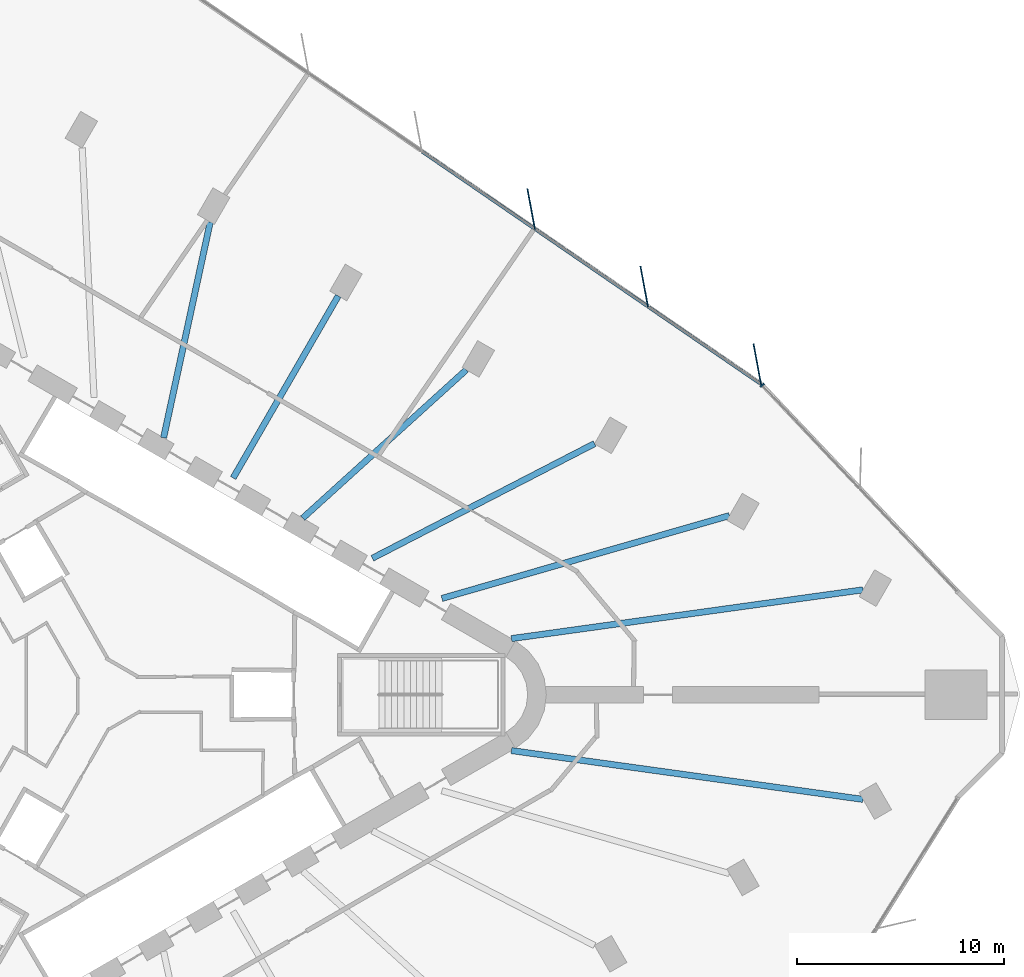
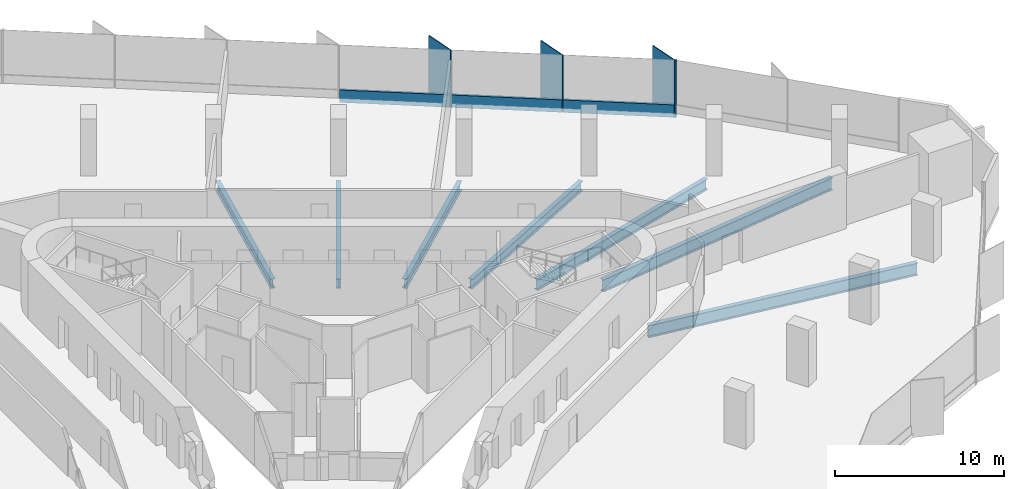
# One storey, part 5 of 15: 7 beams, 7 members, 2 elements without a shape of their own.
"""IFC4 building model written with IfcOpenShell, lengths in metres."""

from ifc_helpers import new_model, si_unit, direction, frame, origin, origin_2d, place, context, subcontext, project, spatial, rectangle, i_section, extrude, material, material_profile, profile_set, type_object, element, aggregate, save


model = new_model("IFC4")

# Units and contexts
model_context = context("Model", 3, precision=1e-05, world=origin(), true_north=direction((0.0, 1.0)))
body_context = subcontext(model_context, "Body", "Model", "MODEL_VIEW")
ifc_project = project(units=[si_unit("LENGTHUNIT", "METRE"), si_unit("AREAUNIT", "SQUARE_METRE"), si_unit("VOLUMEUNIT", "CUBIC_METRE"), si_unit("PLANEANGLEUNIT", "RADIAN"), si_unit("MASSUNIT", "GRAM", prefix="KILO")], contexts=[model_context])

# Site, building, storey
site_placement = place(None, origin())
site = spatial("IfcSite", under=ifc_project, at=site_placement, CompositionType="ELEMENT")
building_placement = place(site_placement, origin())
building = spatial("IfcBuilding", under=site, at=building_placement, Name="Tanit Gate Tower", CompositionType="ELEMENT")
storey_placement = place(building_placement, frame((0.0, 0.0, 98.800048828125)))
storey = spatial("IfcBuildingStorey", under=building, at=storey_placement, Name="L20", CompositionType="ELEMENT", Elevation=98.800048828125)

# Curtain wall, members
ifc_material_1 = material(Name="Aluminium bronze anodised and glass", Category="aluminium")
curtain_wall_type = type_object("IfcCurtainWallType", Name="Curtain wall typical low", PredefinedType="NOTDEFINED", material=ifc_material_1)
curtain_wall_1_placement = place(storey_placement, origin())
curtain_wall_1 = element("IfcCurtainWall", 1, at=curtain_wall_1_placement, inside=storey, type_object=curtain_wall_type, Name="Curtain wall L20 NE2", PredefinedType="NOTDEFINED")
ifc_material_2 = material(Name="Aluminium bronze anodised", Category="aluminium")
ifc_material_profile_1 = material_profile(ifc_material_2, rectangle(XDim=2.0, YDim=0.055908203125, at=origin_2d()), Name="56x2000 bronze fin mullion")
ifc_profile_set_1 = profile_set([ifc_material_profile_1], Name="Aluminium bronze anodised")
member_type_1 = type_object("IfcMemberType", Name="FIN MULLION 56x2000 bronze", PredefinedType="MULLION", material=ifc_profile_set_1)
member_1_placement = place(storey_placement, frame((31.404296875, 15.97998046875, -0.300048828125), z_axis=(0.0, 0.0, 1.0), x_axis=(0.182847499991, -0.983141287785, 0.0)))
member_1 = element("IfcMember", 2, at=member_1_placement, type_object=member_type_1, Name="Fin mullion L20 NE2.1", PredefinedType="MULLION", context=body_context, shape_type="SweptSolid", body=[
    extrude(rectangle(XDim=2.0, YDim=0.055908203125, at=origin_2d()), origin(), (0.0, 0.0, 1.0), 4.10009765625),
])
member_2_placement = place(storey_placement, frame((25.93505859375, 19.73388671875, -0.300048828125), z_axis=(0.0, 0.0, 1.0), x_axis=(0.182847499991, -0.983141287785, 0.0)))
member_2 = element("IfcMember", 3, at=member_2_placement, type_object=member_type_1, Name="Fin mullion L20 NE2.2", PredefinedType="MULLION", context=body_context, shape_type="SweptSolid", body=[
    extrude(rectangle(XDim=2.0, YDim=0.055908203125, at=origin_2d()), origin(), (0.0, 0.0, 1.0), 4.10009765625),
])
member_3_placement = place(storey_placement, frame((20.4658203125, 23.48779296875, -0.300048828125), z_axis=(0.0, 0.0, 1.0), x_axis=(0.182847499991, -0.983141287785, 0.0)))
member_3 = element("IfcMember", 4, at=member_3_placement, type_object=member_type_1, Name="Fin mullion L20 NE2.3", PredefinedType="MULLION", context=body_context, shape_type="SweptSolid", body=[
    extrude(rectangle(XDim=2.0, YDim=0.055908203125, at=origin_2d()), origin(), (0.0, 0.0, 1.0), 4.10009765625),
])

# Curtain wall, member
curtain_wall_2_placement = place(storey_placement, origin())
curtain_wall_2 = element("IfcCurtainWall", 5, at=curtain_wall_2_placement, inside=storey, type_object=curtain_wall_type, Name="Curtain wall L20 NE1", PredefinedType="NOTDEFINED")
ifc_material_3 = material(Name="Aluminium bronze anodised", Category="aluminium")
ifc_material_profile_2 = material_profile(ifc_material_3, rectangle(XDim=0.239990234375, YDim=0.080078125, at=origin_2d()), Name="80x240 bronze mullion")
ifc_profile_set_2 = profile_set([ifc_material_profile_2], Name="Aluminium bronze anodised")
member_type_2 = type_object("IfcMemberType", Name="Mullion 80x240 typical low", PredefinedType="MULLION", material=ifc_profile_set_2)
member_4_placement = place(storey_placement, frame((31.6435546875, 14.96728515625, -0.300048828125), z_axis=(0.0, 0.0, 1.0), x_axis=(-0.726107422855, -0.687581275541, 0.0)))
member_4 = element("IfcMember", 6, at=member_4_placement, type_object=member_type_2, Name="Mullion L20 NE1.3", PredefinedType="MULLION", context=body_context, shape_type="SweptSolid", body=[
    extrude(rectangle(XDim=0.239990234375, YDim=0.080078125, at=origin_2d()), origin(), (0.0, 0.0, 1.0), 4.10009765625),
])
aggregate(curtain_wall_2, [member_4])

# Beams
ifc_material_4 = material(Name="Steel S355", Category="steel")
ifc_material_profile_3 = material_profile(ifc_material_4, i_section(OverallWidth=0.300048828125, OverallDepth=0.68994140625, WebThickness=0.014404296875, FlangeThickness=0.027099609375, FilletRadius=0.027099609375, at=origin_2d()), Name="HEA 700")
ifc_profile_set_3 = profile_set([ifc_material_profile_3], Name="Steel S355")
beam_type_1 = type_object("IfcBeamType", Name="RADIAL GIRDER HEA 700 S355", PredefinedType="BEAM", material=ifc_profile_set_3)
beam_1_placement = place(storey_placement, frame((23.530029296875, 12.1396484375, -0.64501953125), z_axis=(-0.888695221305, -0.458498422713, 0.0), x_axis=(0.458498422713, -0.888695221305, 0.0)))
element("IfcBeam", 7, at=beam_1_placement, inside=storey, type_object=beam_type_1, Name="RADIAL GIRDER", PredefinedType="BEAM", context=body_context, shape_type="SweptSolid", body=[
    extrude(i_section(OverallWidth=0.300048828125, OverallDepth=0.68994140625, WebThickness=0.014404296875, FlangeThickness=0.027099609375, FilletRadius=0.027099609375, at=origin_2d()), origin(), (0.0, 0.0, 1.0), 12.09423828125),
])
beam_2_placement = place(storey_placement, frame((17.326416015625, 15.709228515625, -0.64501953125), z_axis=(-0.740834398556, -0.671687720534, 0.0), x_axis=(0.671687720534, -0.740834398556, 0.0)))
element("IfcBeam", 8, at=beam_2_placement, inside=storey, type_object=beam_type_1, Name="RADIAL GIRDER", PredefinedType="BEAM", context=body_context, shape_type="SweptSolid", body=[
    extrude(i_section(OverallWidth=0.300048828125, OverallDepth=0.68994140625, WebThickness=0.014404296875, FlangeThickness=0.027099609375, FilletRadius=0.027099609375, at=origin_2d()), origin(), (0.0, 0.0, 1.0), 10.677001953125),
])
beam_3_placement = place(storey_placement, frame((11.134033203125, 19.28466796875, -0.64501953125), z_axis=(-0.500003096968, -0.866023615742, 0.0), x_axis=(0.866023615742, -0.500003096968, 0.0)))
element("IfcBeam", 9, at=beam_3_placement, inside=storey, type_object=beam_type_1, Name="RADIAL GIRDER", PredefinedType="BEAM", context=body_context, shape_type="SweptSolid", body=[
    extrude(i_section(OverallWidth=0.300048828125, OverallDepth=0.68994140625, WebThickness=0.014404296875, FlangeThickness=0.027099609375, FilletRadius=0.027099609375, at=origin_2d()), origin(), (0.0, 0.0, 1.0), 10.166015625),
])
beam_4_placement = place(storey_placement, frame((4.94140625, 22.85986328125, -0.64501953125), z_axis=(-0.211276115388, -0.977426418236, 0.0), x_axis=(0.977426418236, -0.211276115388, 0.0)))
element("IfcBeam", 10, at=beam_4_placement, inside=storey, type_object=beam_type_1, Name="RADIAL GIRDER", PredefinedType="BEAM", context=body_context, shape_type="SweptSolid", body=[
    extrude(i_section(OverallWidth=0.300048828125, OverallDepth=0.68994140625, WebThickness=0.014404296875, FlangeThickness=0.027099609375, FilletRadius=0.027099609375, at=origin_2d()), origin(), (0.0, 0.0, 1.0), 10.67724609375),
])
ifc_material_5 = material(Name="Steel S355", Category="steel")
ifc_material_profile_4 = material_profile(ifc_material_5, i_section(OverallWidth=0.300048828125, OverallDepth=0.7900390625, WebThickness=0.014892578125, FlangeThickness=0.028076171875, FilletRadius=0.030029296875, at=origin_2d()), Name="HEA 800")
ifc_profile_set_4 = profile_set([ifc_material_profile_4], Name="Steel S355")
beam_type_2 = type_object("IfcBeamType", Name="RADIAL GIRDER HEA 800 S355", PredefinedType="BEAM", material=ifc_profile_set_4)
beam_5_placement = place(storey_placement, frame((30.0546875, 8.657470703125, -0.695068359375), z_axis=(-0.960925208755, -0.276808134236, 0.0), x_axis=(0.276808134236, -0.960925208755, 0.0)))
element("IfcBeam", 11, at=beam_5_placement, inside=storey, type_object=beam_type_2, Name="RADIAL GIRDER", PredefinedType="BEAM", context=body_context, shape_type="SweptSolid", body=[
    extrude(i_section(OverallWidth=0.300048828125, OverallDepth=0.7900390625, WebThickness=0.014892578125, FlangeThickness=0.028076171875, FilletRadius=0.030029296875, at=origin_2d()), origin(), (0.0, 0.0, 1.0), 14.472412109375),
])
ifc_material_6 = material(Name="Steel S355", Category="steel")
ifc_material_profile_5 = material_profile(ifc_material_6, i_section(OverallWidth=0.300048828125, OverallDepth=0.889892578125, WebThickness=0.01611328125, FlangeThickness=0.030029296875, FilletRadius=0.030029296875, at=origin_2d()), Name="HEA 900")
ifc_profile_set_5 = profile_set([ifc_material_profile_5], Name="Steel S355")
beam_type_3 = type_object("IfcBeamType", Name="RADIAL GIRDER HEA 900 S355", PredefinedType="BEAM", material=ifc_profile_set_5)
for number, where, z_axis, x_axis, name in (
    (12, (36.517333984375, -5.068359375, -0.7451171875), (-0.990504811004, 0.137478068716, 0.0), (-0.137478068716, -0.990504811004, 0.0), "RADIAL GIRDER"),
    (13, (36.517333984375, 5.068359375, -0.7451171875), (-0.990504811004, -0.137478068716, 0.0), (0.137478068716, -0.990504811004, 0.0), "RADIAL GIRDER"),
):
    element("IfcBeam", number, at=place(storey_placement, frame(where, z_axis=z_axis, x_axis=x_axis)), inside=storey, type_object=beam_type_3, Name=name, PredefinedType="BEAM", context=body_context, shape_type="SweptSolid", body=[
        extrude(i_section(OverallWidth=0.300048828125, OverallDepth=0.889892578125, WebThickness=0.01611328125, FlangeThickness=0.030029296875, FilletRadius=0.030029296875, at=origin_2d()), origin(), (0.0, 0.0, 1.0), 17.167236328125),
    ])

# Member
ifc_material_7 = material(Name="Aluminium bronze anodised", Category="aluminium")
ifc_material_profile_6 = material_profile(ifc_material_7, rectangle(XDim=0.159912109375, YDim=0.89990234375, at=origin_2d()), Name="160x900 bronze transom")
ifc_profile_set_6 = profile_set([ifc_material_profile_6], Name="Aluminium bronze anodised")
member_type_3 = type_object("IfcMemberType", Name="Transom 160x900 typical low", PredefinedType="USERDEFINED", material=ifc_profile_set_6)
member_5_placement = place(storey_placement, frame((31.550048828125, 15.04150390625, 0.14990234375), z_axis=(-0.824472115667, 0.565902580386, 0.0), x_axis=(-0.565902580386, -0.824472115667, 0.0)))
member_5 = element("IfcMember", 14, at=member_5_placement, type_object=member_type_3, Name="Transom L20 NE2.1", ObjectType="TRANSOM", PredefinedType="USERDEFINED", context=body_context, shape_type="SweptSolid", body=[
    extrude(rectangle(XDim=0.159912109375, YDim=0.89990234375, at=origin_2d()), origin(), (0.0, 0.0, 1.0), 6.5537109375),
])

member_6_placement = place(storey_placement, frame((26.080810546875, 18.79541015625, 0.14990234375), z_axis=(-0.824472115667, 0.565902580386, 0.0), x_axis=(-0.565902580386, -0.824472115667, 0.0)))
member_6 = element("IfcMember", 15, at=member_6_placement, type_object=member_type_3, Name="Transom L20 NE2.2", ObjectType="TRANSOM", PredefinedType="USERDEFINED", context=body_context, shape_type="SweptSolid", body=[
    extrude(rectangle(XDim=0.159912109375, YDim=0.89990234375, at=origin_2d()), origin(), (0.0, 0.0, 1.0), 6.5537109375),
])

member_7_placement = place(storey_placement, frame((20.611572265625, 22.549560546875, 0.14990234375), z_axis=(-0.824489496573, 0.565877257046, 0.0), x_axis=(-0.565877257046, -0.824489496573, 0.0)))
member_7 = element("IfcMember", 16, at=member_7_placement, type_object=member_type_3, Name="Transom L20 NE2.3", ObjectType="TRANSOM", PredefinedType="USERDEFINED", context=body_context, shape_type="SweptSolid", body=[
    extrude(rectangle(XDim=0.159912109375, YDim=0.89990234375, at=origin_2d()), origin(), (0.0, 0.0, 1.0), 6.553466796875),
])

aggregate(curtain_wall_1, [member_1, member_2, member_3, member_5, member_6, member_7])

save(model, "model.ifc")
